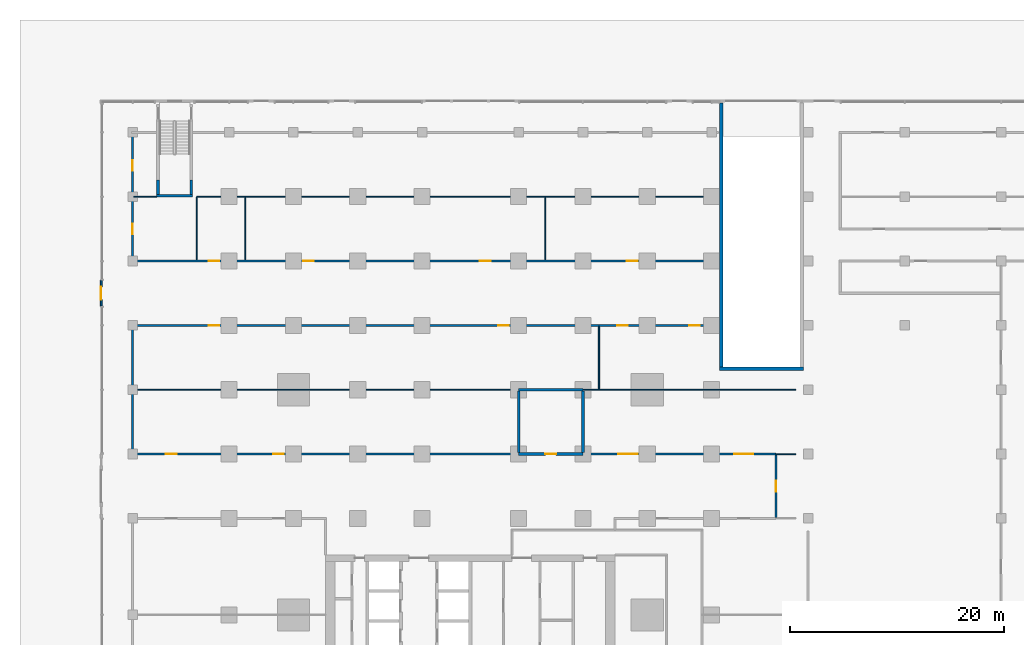
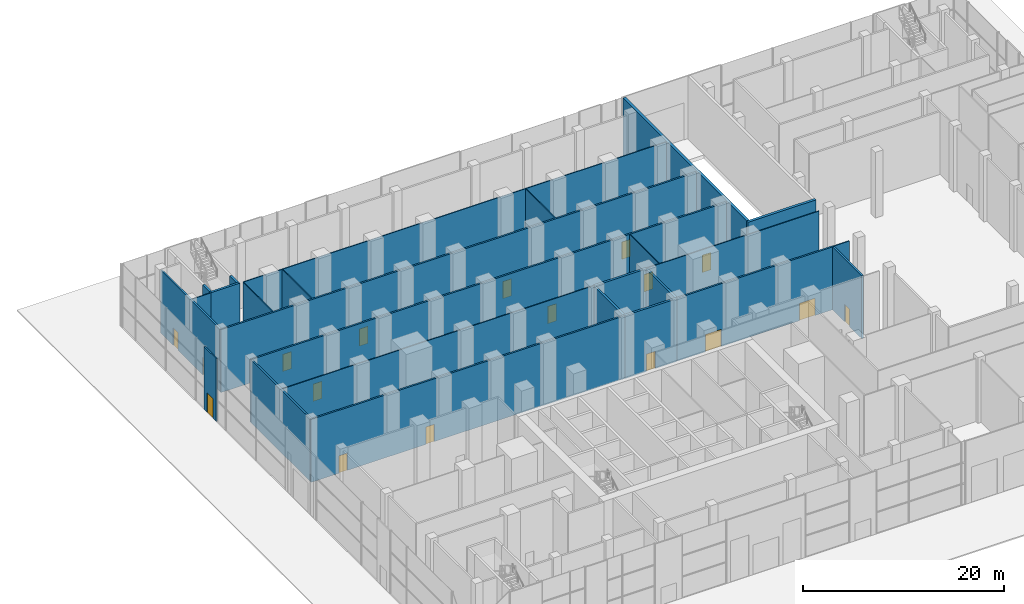
# One storey, part 21 of 29: 26 walls, 17 doors, 17 openings.
"""IFC4 building model written with IfcOpenShell, lengths in metres."""

from ifc_helpers import new_model, si_unit, direction, frame, frame_2d, origin, place, context, subcontext, project, spatial, rectangle, extrude, material, layer, layer_set, type_object, element, fill, save


model = new_model("IFC4")

# Units and contexts
model_context = context("Model", 3, precision=1e-05, world=origin(), true_north=direction((0.0, 1.0)))
body_context = subcontext(model_context, "Body", "Model", "MODEL_VIEW")
ifc_project = project(units=[si_unit("LENGTHUNIT", "METRE"), si_unit("AREAUNIT", "SQUARE_METRE"), si_unit("VOLUMEUNIT", "CUBIC_METRE"), si_unit("PLANEANGLEUNIT", "RADIAN"), si_unit("MASSUNIT", "GRAM", prefix="KILO")], contexts=[model_context])

# Site, building, storey
site_placement = place(None, origin())
site = spatial("IfcSite", under=ifc_project, at=site_placement, CompositionType="ELEMENT")
building_placement = place(site_placement, origin())
building = spatial("IfcBuilding", under=site, at=building_placement, Name="Finial Court Residences", CompositionType="ELEMENT")
storey_placement = place(building_placement, origin())
storey = spatial("IfcBuildingStorey", under=building, at=storey_placement, Name="L00", CompositionType="ELEMENT", Elevation=0.0)

# Wall, openings, doors
ifc_material_1 = material(Name="Gypsum board")
ifc_layer_1 = layer(ifc_material_1, 0.02490234375)
ifc_material_2 = material(Name="Acoustic mineral wool in double frame")
ifc_layer_2 = layer(ifc_material_2, 0.14990234375)
ifc_layer_3 = layer(ifc_material_1, 0.02490234375)
ifc_layer_set_1 = layer_set([ifc_layer_1, ifc_layer_2, ifc_layer_3], Name="Corridor wall 200, 1 hour")
wall_type_1 = type_object("IfcWallType", Name="Corridor wall 200, 1 hour", PredefinedType="PARTITIONING", material=ifc_layer_set_1)
wall_1_placement = place(storey_placement, frame((-31.60009765625, 1.5, 0.0), z_axis=(0.0, 0.0, 1.0), x_axis=(1.0, 0.0, 0.0)))
wall_1 = element("IfcWall", 1, at=wall_1_placement, inside=storey, type_object=wall_type_1, Name="Partition L00-015", PredefinedType="PARTITIONING", context=body_context, shape_type="SweptSolid", body=[
    extrude(rectangle(XDim=36.10009765625, YDim=0.199951171875, at=frame_2d((18.050048828125, 0.0))), origin(), (0.0, 0.0, 1.0), 7.64990234375),
])
opening_1_placement = place(wall_1_placement, frame((3.199951171875, 0.0, 0.0)))
opening_1 = element("IfcOpeningElement", 2, at=opening_1_placement, cuts=wall_1, Name="Opening L00-D015", PredefinedType="OPENING", context=body_context, shape_type="SweptSolid", body=[
    extrude(rectangle(XDim=1.0, YDim=2.10009765625, at=frame_2d((0.5, 1.050048828125))), frame((0.0, 0.10986328125, 0.0), z_axis=(0.0, -1.0, 0.0), x_axis=(1.0, 0.0, 0.0)), (0.0, 0.0, 1.0), 0.219970703125),
])
opening_2_placement = place(wall_1_placement, frame((13.199951171875, 0.0, 0.0)))
opening_2 = element("IfcOpeningElement", 3, at=opening_2_placement, cuts=wall_1, Name="Opening L00-D016", PredefinedType="OPENING", context=body_context, shape_type="SweptSolid", body=[
    extrude(rectangle(XDim=1.0, YDim=2.10009765625, at=frame_2d((0.5, 1.050048828125))), frame((0.0, 0.10986328125, 0.0), z_axis=(0.0, -1.0, 0.0), x_axis=(1.0, 0.0, 0.0)), (0.0, 0.0, 1.0), 0.219970703125),
])
ifc_material_3 = material(Name="Timber door leaf in hollow metal frame", Category="wood")
door_type_1 = type_object("IfcDoorType", Name="Fire door set 1000 x 2100, 30 minutes", OperationType="SINGLE_SWING_LEFT", PredefinedType="DOOR", material=ifc_material_3)
door_1_placement = place(opening_1_placement, origin())
door_1 = element("IfcDoor", 4, at=door_1_placement, inside=storey, type_object=door_type_1, Name="Door L00-D015", OperationType="SINGLE_SWING_RIGHT", OverallHeight=2.10009765625, OverallWidth=1.0, PredefinedType="DOOR", context=body_context, shape_type="SweptSolid", body=[
    extrude(rectangle(XDim=1.0, YDim=2.10009765625, at=frame_2d((0.5, 1.050048828125))), frame((0.0, 0.02490234375, 0.0), z_axis=(0.0, -1.0, 0.0), x_axis=(1.0, 0.0, 0.0)), (0.0, 0.0, 1.0), 0.050048828125),
])
fill(opening_1, door_1)
door_2_placement = place(opening_2_placement, origin())
door_2 = element("IfcDoor", 5, at=door_2_placement, inside=storey, type_object=door_type_1, Name="Door L00-D016", OperationType="SINGLE_SWING_RIGHT", OverallHeight=2.10009765625, OverallWidth=1.0, PredefinedType="DOOR", context=body_context, shape_type="SweptSolid", body=[
    extrude(rectangle(XDim=1.0, YDim=2.10009765625, at=frame_2d((0.5, 1.050048828125))), frame((0.0, 0.02490234375, 0.0), z_axis=(0.0, -1.0, 0.0), x_axis=(1.0, 0.0, 0.0)), (0.0, 0.0, 1.0), 0.050048828125),
])
fill(opening_2, door_2)

wall_2_placement = place(storey_placement, frame((10.5, 1.5, 0.0), z_axis=(0.0, 0.0, 1.0), x_axis=(1.0, 0.0, 0.0)))
wall_2 = element("IfcWall", 6, at=wall_2_placement, inside=storey, type_object=wall_type_1, Name="Partition L00-016", PredefinedType="PARTITIONING", context=body_context, shape_type="SweptSolid", body=[
    extrude(rectangle(XDim=18.0, YDim=0.199951171875, at=frame_2d((9.0, 0.0))), origin(), (0.0, 0.0, 1.0), 7.64990234375),
])
opening_3_placement = place(wall_2_placement, frame((3.300048828125, 0.0, 0.0)))
opening_3 = element("IfcOpeningElement", 7, at=opening_3_placement, cuts=wall_2, Name="Opening L00-D017", PredefinedType="OPENING", context=body_context, shape_type="SweptSolid", body=[
    extrude(rectangle(XDim=1.800048828125, YDim=2.10009765625, at=frame_2d((0.89990234375, 1.050048828125))), frame((0.0, 0.10986328125, 0.0), z_axis=(0.0, -1.0, 0.0), x_axis=(1.0, 0.0, 0.0)), (0.0, 0.0, 1.0), 0.219970703125),
])
opening_4_placement = place(wall_2_placement, frame((14.10009765625, 0.0, 0.0)))
opening_4 = element("IfcOpeningElement", 8, at=opening_4_placement, cuts=wall_2, Name="Opening L00-D018", PredefinedType="OPENING", context=body_context, shape_type="SweptSolid", body=[
    extrude(rectangle(XDim=1.800048828125, YDim=2.10009765625, at=frame_2d((0.89990234375, 1.050048828125))), frame((0.0, 0.10986328125, 0.0), z_axis=(0.0, -1.0, 0.0), x_axis=(1.0, 0.0, 0.0)), (0.0, 0.0, 1.0), 0.219970703125),
])
door_type_2 = type_object("IfcDoorType", Name="Fire door set 1800 x 2100, 30 minutes", OperationType="DOUBLE_DOOR_SINGLE_SWING", PredefinedType="DOOR", material=ifc_material_3)
door_3_placement = place(opening_3_placement, origin())
door_3 = element("IfcDoor", 9, at=door_3_placement, inside=storey, type_object=door_type_2, Name="Door L00-D017", OperationType="DOUBLE_DOOR_SINGLE_SWING", OverallHeight=2.10009765625, OverallWidth=1.800048828125, PredefinedType="DOOR", context=body_context, shape_type="SweptSolid", body=[
    extrude(rectangle(XDim=1.800048828125, YDim=2.10009765625, at=frame_2d((0.89990234375, 1.050048828125))), frame((0.0, 0.02490234375, 0.0), z_axis=(0.0, -1.0, 0.0), x_axis=(1.0, 0.0, 0.0)), (0.0, 0.0, 1.0), 0.050048828125),
])
fill(opening_3, door_3)
door_4_placement = place(opening_4_placement, origin())
door_4 = element("IfcDoor", 10, at=door_4_placement, inside=storey, type_object=door_type_2, Name="Door L00-D018", OperationType="DOUBLE_DOOR_SINGLE_SWING", OverallHeight=2.10009765625, OverallWidth=1.800048828125, PredefinedType="DOOR", context=body_context, shape_type="SweptSolid", body=[
    extrude(rectangle(XDim=1.800048828125, YDim=2.10009765625, at=frame_2d((0.89990234375, 1.050048828125))), frame((0.0, 0.02490234375, 0.0), z_axis=(0.0, -1.0, 0.0), x_axis=(1.0, 0.0, 0.0)), (0.0, 0.0, 1.0), 0.050048828125),
])
fill(opening_4, door_4)

wall_3_placement = place(storey_placement, frame((-31.60009765625, 13.5, 0.0), z_axis=(0.0, 0.0, 1.0), x_axis=(1.0, 0.0, 0.0)))
wall_3 = element("IfcWall", 11, at=wall_3_placement, inside=storey, type_object=wall_type_1, Name="Partition L00-022", PredefinedType="PARTITIONING", context=body_context, shape_type="SweptSolid", body=[
    extrude(rectangle(XDim=54.75, YDim=0.199951171875, at=frame_2d((27.375, 0.0))), origin(), (0.0, 0.0, 1.0), 7.64990234375),
])
opening_5_placement = place(wall_3_placement, frame((7.199951171875, 0.0, 0.0)))
opening_5 = element("IfcOpeningElement", 12, at=opening_5_placement, cuts=wall_3, Name="Opening L00-D020", PredefinedType="OPENING", context=body_context, shape_type="SweptSolid", body=[
    extrude(rectangle(XDim=1.0, YDim=2.10009765625, at=frame_2d((0.5, 1.050048828125))), frame((0.0, 0.10986328125, 0.0), z_axis=(0.0, -1.0, 0.0), x_axis=(1.0, 0.0, 0.0)), (0.0, 0.0, 1.0), 0.219970703125),
])
opening_6_placement = place(wall_3_placement, frame((34.199951171875, 0.0, 0.0)))
opening_6 = element("IfcOpeningElement", 13, at=opening_6_placement, cuts=wall_3, Name="Opening L00-D021", PredefinedType="OPENING", context=body_context, shape_type="SweptSolid", body=[
    extrude(rectangle(XDim=1.0, YDim=2.10009765625, at=frame_2d((0.5, 1.050048828125))), frame((0.0, 0.10986328125, 0.0), z_axis=(0.0, -1.0, 0.0), x_axis=(1.0, 0.0, 0.0)), (0.0, 0.0, 1.0), 0.219970703125),
])
opening_7_placement = place(wall_3_placement, frame((45.300048828125, 0.0, 0.0)))
opening_7 = element("IfcOpeningElement", 14, at=opening_7_placement, cuts=wall_3, Name="Opening L00-D022", PredefinedType="OPENING", context=body_context, shape_type="SweptSolid", body=[
    extrude(rectangle(XDim=1.0, YDim=2.10009765625, at=frame_2d((0.5, 1.050048828125))), frame((0.0, 0.10986328125, 0.0), z_axis=(0.0, -1.0, 0.0), x_axis=(1.0, 0.0, 0.0)), (0.0, 0.0, 1.0), 0.219970703125),
])
opening_8_placement = place(wall_3_placement, frame((52.0, 0.0, 0.0)))
opening_8 = element("IfcOpeningElement", 15, at=opening_8_placement, cuts=wall_3, Name="Opening L00-D023", PredefinedType="OPENING", context=body_context, shape_type="SweptSolid", body=[
    extrude(rectangle(XDim=1.0, YDim=2.10009765625, at=frame_2d((0.5, 1.050048828125))), frame((0.0, 0.10986328125, 0.0), z_axis=(0.0, -1.0, 0.0), x_axis=(1.0, 0.0, 0.0)), (0.0, 0.0, 1.0), 0.219970703125),
])
door_5_placement = place(opening_5_placement, origin())
door_5 = element("IfcDoor", 16, at=door_5_placement, inside=storey, type_object=door_type_1, Name="Door L00-D020", OperationType="SINGLE_SWING_LEFT", OverallHeight=2.10009765625, OverallWidth=1.0, PredefinedType="DOOR", context=body_context, shape_type="SweptSolid", body=[
    extrude(rectangle(XDim=1.0, YDim=2.10009765625, at=frame_2d((0.5, 1.050048828125))), frame((0.0, 0.02490234375, 0.0), z_axis=(0.0, -1.0, 0.0), x_axis=(1.0, 0.0, 0.0)), (0.0, 0.0, 1.0), 0.050048828125),
])
fill(opening_5, door_5)
door_6_placement = place(opening_6_placement, origin())
door_6 = element("IfcDoor", 17, at=door_6_placement, inside=storey, type_object=door_type_1, Name="Door L00-D021", OperationType="SINGLE_SWING_RIGHT", OverallHeight=2.10009765625, OverallWidth=1.0, PredefinedType="DOOR", context=body_context, shape_type="SweptSolid", body=[
    extrude(rectangle(XDim=1.0, YDim=2.10009765625, at=frame_2d((0.5, 1.050048828125))), frame((0.0, 0.02490234375, 0.0), z_axis=(0.0, -1.0, 0.0), x_axis=(1.0, 0.0, 0.0)), (0.0, 0.0, 1.0), 0.050048828125),
])
fill(opening_6, door_6)
door_7_placement = place(opening_7_placement, origin())
door_7 = element("IfcDoor", 18, at=door_7_placement, inside=storey, type_object=door_type_1, Name="Door L00-D022", OperationType="SINGLE_SWING_RIGHT", OverallHeight=2.10009765625, OverallWidth=1.0, PredefinedType="DOOR", context=body_context, shape_type="SweptSolid", body=[
    extrude(rectangle(XDim=1.0, YDim=2.10009765625, at=frame_2d((0.5, 1.050048828125))), frame((0.0, 0.02490234375, 0.0), z_axis=(0.0, -1.0, 0.0), x_axis=(1.0, 0.0, 0.0)), (0.0, 0.0, 1.0), 0.050048828125),
])
fill(opening_7, door_7)
door_8_placement = place(opening_8_placement, origin())
door_8 = element("IfcDoor", 19, at=door_8_placement, inside=storey, type_object=door_type_1, Name="Door L00-D023", OperationType="SINGLE_SWING_RIGHT", OverallHeight=2.10009765625, OverallWidth=1.0, PredefinedType="DOOR", context=body_context, shape_type="SweptSolid", body=[
    extrude(rectangle(XDim=1.0, YDim=2.10009765625, at=frame_2d((0.5, 1.050048828125))), frame((0.0, 0.02490234375, 0.0), z_axis=(0.0, -1.0, 0.0), x_axis=(1.0, 0.0, 0.0)), (0.0, 0.0, 1.0), 0.050048828125),
])
fill(opening_8, door_8)

wall_4_placement = place(storey_placement, frame((-31.60009765625, 19.5, 0.0), z_axis=(0.0, 0.0, 1.0), x_axis=(1.0, 0.0, 0.0)))
wall_4 = element("IfcWall", 20, at=wall_4_placement, inside=storey, type_object=wall_type_1, Name="Partition L00-024", PredefinedType="PARTITIONING", context=body_context, shape_type="SweptSolid", body=[
    extrude(rectangle(XDim=54.75, YDim=0.199951171875, at=frame_2d((27.375, 0.0))), origin(), (0.0, 0.0, 1.0), 7.64990234375),
])
opening_9_placement = place(wall_4_placement, frame((7.199951171875, 0.0, 0.0)))
opening_9 = element("IfcOpeningElement", 21, at=opening_9_placement, cuts=wall_4, Name="Opening L00-D024", PredefinedType="OPENING", context=body_context, shape_type="SweptSolid", body=[
    extrude(rectangle(XDim=1.0, YDim=2.10009765625, at=frame_2d((0.5, 1.050048828125))), frame((0.0, 0.10986328125, 0.0), z_axis=(0.0, -1.0, 0.0), x_axis=(1.0, 0.0, 0.0)), (0.0, 0.0, 1.0), 0.219970703125),
])
opening_10_placement = place(wall_4_placement, frame((16.0, 0.0, 0.0)))
opening_10 = element("IfcOpeningElement", 22, at=opening_10_placement, cuts=wall_4, Name="Opening L00-D025", PredefinedType="OPENING", context=body_context, shape_type="SweptSolid", body=[
    extrude(rectangle(XDim=1.0, YDim=2.10009765625, at=frame_2d((0.5, 1.050048828125))), frame((0.0, 0.10986328125, 0.0), z_axis=(0.0, -1.0, 0.0), x_axis=(1.0, 0.0, 0.0)), (0.0, 0.0, 1.0), 0.219970703125),
])
opening_11_placement = place(wall_4_placement, frame((32.5, 0.0, 0.0)))
opening_11 = element("IfcOpeningElement", 23, at=opening_11_placement, cuts=wall_4, Name="Opening L00-D026", PredefinedType="OPENING", context=body_context, shape_type="SweptSolid", body=[
    extrude(rectangle(XDim=1.0, YDim=2.10009765625, at=frame_2d((0.5, 1.050048828125))), frame((0.0, 0.10986328125, 0.0), z_axis=(0.0, -1.0, 0.0), x_axis=(1.0, 0.0, 0.0)), (0.0, 0.0, 1.0), 0.219970703125),
])
opening_12_placement = place(wall_4_placement, frame((46.199951171875, 0.0, 0.0)))
opening_12 = element("IfcOpeningElement", 24, at=opening_12_placement, cuts=wall_4, Name="Opening L00-D027", PredefinedType="OPENING", context=body_context, shape_type="SweptSolid", body=[
    extrude(rectangle(XDim=1.0, YDim=2.10009765625, at=frame_2d((0.5, 1.050048828125))), frame((0.0, 0.10986328125, 0.0), z_axis=(0.0, -1.0, 0.0), x_axis=(1.0, 0.0, 0.0)), (0.0, 0.0, 1.0), 0.219970703125),
])
door_9_placement = place(opening_9_placement, origin())
door_9 = element("IfcDoor", 25, at=door_9_placement, inside=storey, type_object=door_type_1, Name="Door L00-D024", OperationType="SINGLE_SWING_RIGHT", OverallHeight=2.10009765625, OverallWidth=1.0, PredefinedType="DOOR", context=body_context, shape_type="SweptSolid", body=[
    extrude(rectangle(XDim=1.0, YDim=2.10009765625, at=frame_2d((0.5, 1.050048828125))), frame((0.0, 0.02490234375, 0.0), z_axis=(0.0, -1.0, 0.0), x_axis=(1.0, 0.0, 0.0)), (0.0, 0.0, 1.0), 0.050048828125),
])
fill(opening_9, door_9)
door_10_placement = place(opening_10_placement, origin())
door_10 = element("IfcDoor", 26, at=door_10_placement, inside=storey, type_object=door_type_1, Name="Door L00-D025", OperationType="SINGLE_SWING_RIGHT", OverallHeight=2.10009765625, OverallWidth=1.0, PredefinedType="DOOR", context=body_context, shape_type="SweptSolid", body=[
    extrude(rectangle(XDim=1.0, YDim=2.10009765625, at=frame_2d((0.5, 1.050048828125))), frame((0.0, 0.02490234375, 0.0), z_axis=(0.0, -1.0, 0.0), x_axis=(1.0, 0.0, 0.0)), (0.0, 0.0, 1.0), 0.050048828125),
])
fill(opening_10, door_10)
door_11_placement = place(opening_11_placement, origin())
door_11 = element("IfcDoor", 27, at=door_11_placement, inside=storey, type_object=door_type_1, Name="Door L00-D026", OperationType="SINGLE_SWING_LEFT", OverallHeight=2.10009765625, OverallWidth=1.0, PredefinedType="DOOR", context=body_context, shape_type="SweptSolid", body=[
    extrude(rectangle(XDim=1.0, YDim=2.10009765625, at=frame_2d((0.5, 1.050048828125))), frame((0.0, 0.02490234375, 0.0), z_axis=(0.0, -1.0, 0.0), x_axis=(1.0, 0.0, 0.0)), (0.0, 0.0, 1.0), 0.050048828125),
])
fill(opening_11, door_11)
door_12_placement = place(opening_12_placement, origin())
door_12 = element("IfcDoor", 28, at=door_12_placement, inside=storey, type_object=door_type_1, Name="Door L00-D027", OperationType="SINGLE_SWING_LEFT", OverallHeight=2.10009765625, OverallWidth=1.0, PredefinedType="DOOR", context=body_context, shape_type="SweptSolid", body=[
    extrude(rectangle(XDim=1.0, YDim=2.10009765625, at=frame_2d((0.5, 1.050048828125))), frame((0.0, 0.02490234375, 0.0), z_axis=(0.0, -1.0, 0.0), x_axis=(1.0, 0.0, 0.0)), (0.0, 0.0, 1.0), 0.050048828125),
])
fill(opening_12, door_12)

# Wall
wall_5_placement = place(storey_placement, frame((-31.5, 1.60009765625, 0.0), z_axis=(0.0, 0.0, 1.0), x_axis=(0.0, 1.0, 0.0)))
element("IfcWall", 29, at=wall_5_placement, inside=storey, type_object=wall_type_1, Name="Partition L00-036", PredefinedType="PARTITIONING", context=body_context, shape_type="SweptSolid", body=[
    extrude(rectangle(XDim=11.7998046875, YDim=0.199951171875, at=frame_2d((5.89990234375, 0.0))), origin(), (0.0, 0.0, 1.0), 7.64990234375),
])

# Wall, openings, doors
wall_6_placement = place(storey_placement, frame((-31.5, 19.60009765625, 0.0), z_axis=(0.0, 0.0, 1.0), x_axis=(0.0, 1.0, 0.0)))
wall_6 = element("IfcWall", 30, at=wall_6_placement, inside=storey, type_object=wall_type_1, Name="Partition L00-037", PredefinedType="PARTITIONING", context=body_context, shape_type="SweptSolid", body=[
    extrude(rectangle(XDim=11.7998046875, YDim=0.199951171875, at=frame_2d((5.89990234375, 0.0))), origin(), (0.0, 0.0, 1.0), 7.64990234375),
])
opening_13_placement = place(wall_6_placement, frame((2.39990234375, 0.0, 0.0)))
opening_13 = element("IfcOpeningElement", 31, at=opening_13_placement, cuts=wall_6, Name="Opening L00-D035", PredefinedType="OPENING", context=body_context, shape_type="SweptSolid", body=[
    extrude(rectangle(XDim=1.0, YDim=2.10009765625, at=frame_2d((0.5, 1.050048828125))), frame((0.0, 0.10986328125, 0.0), z_axis=(0.0, -1.0, 0.0), x_axis=(1.0, 0.0, 0.0)), (0.0, 0.0, 1.0), 0.219970703125),
])
opening_14_placement = place(wall_6_placement, frame((8.300048828125, 0.0, 0.0)))
opening_14 = element("IfcOpeningElement", 32, at=opening_14_placement, cuts=wall_6, Name="Opening L00-D036", PredefinedType="OPENING", context=body_context, shape_type="SweptSolid", body=[
    extrude(rectangle(XDim=1.0, YDim=2.10009765625, at=frame_2d((0.5, 1.050048828125))), frame((0.0, 0.10986328125, 0.0), z_axis=(0.0, -1.0, 0.0), x_axis=(1.0, 0.0, 0.0)), (0.0, 0.0, 1.0), 0.219970703125),
])
door_13_placement = place(opening_13_placement, origin())
door_13 = element("IfcDoor", 33, at=door_13_placement, inside=storey, type_object=door_type_1, Name="Door L00-D035", OperationType="SINGLE_SWING_LEFT", OverallHeight=2.10009765625, OverallWidth=1.0, PredefinedType="DOOR", context=body_context, shape_type="SweptSolid", body=[
    extrude(rectangle(XDim=1.0, YDim=2.10009765625, at=frame_2d((0.5, 1.050048828125))), frame((0.0, 0.02490234375, 0.0), z_axis=(0.0, -1.0, 0.0), x_axis=(1.0, 0.0, 0.0)), (0.0, 0.0, 1.0), 0.050048828125),
])
fill(opening_13, door_13)
door_14_placement = place(opening_14_placement, origin())
door_14 = element("IfcDoor", 34, at=door_14_placement, inside=storey, type_object=door_type_1, Name="Door L00-D036", OperationType="SINGLE_SWING_RIGHT", OverallHeight=2.10009765625, OverallWidth=1.0, PredefinedType="DOOR", context=body_context, shape_type="SweptSolid", body=[
    extrude(rectangle(XDim=1.0, YDim=2.10009765625, at=frame_2d((0.5, 1.050048828125))), frame((0.0, 0.02490234375, 0.0), z_axis=(0.0, -1.0, 0.0), x_axis=(1.0, 0.0, 0.0)), (0.0, 0.0, 1.0), 0.050048828125),
])
fill(opening_14, door_14)

# Wall, opening, door
wall_7_placement = place(storey_placement, frame((28.5, -4.39990234375, 0.0), z_axis=(0.0, 0.0, 1.0), x_axis=(0.0, 1.0, 0.0)))
wall_7 = element("IfcWall", 35, at=wall_7_placement, inside=storey, type_object=wall_type_1, Name="Partition L00-047", PredefinedType="PARTITIONING", context=body_context, shape_type="SweptSolid", body=[
    extrude(rectangle(XDim=5.7998046875, YDim=0.199951171875, at=frame_2d((2.89990234375, 0.0))), origin(), (0.0, 0.0, 1.0), 7.64990234375),
])
opening_15_placement = place(wall_7_placement, frame((2.39990234375, 0.0, 0.0)))
opening_15 = element("IfcOpeningElement", 36, at=opening_15_placement, cuts=wall_7, Name="Opening L00-D037", PredefinedType="OPENING", context=body_context, shape_type="SweptSolid", body=[
    extrude(rectangle(XDim=1.0, YDim=2.10009765625, at=frame_2d((0.5, 1.050048828125))), frame((0.0, 0.10986328125, 0.0), z_axis=(0.0, -1.0, 0.0), x_axis=(1.0, 0.0, 0.0)), (0.0, 0.0, 1.0), 0.219970703125),
])
door_15_placement = place(opening_15_placement, origin())
door_15 = element("IfcDoor", 37, at=door_15_placement, inside=storey, type_object=door_type_1, Name="Door L00-D037", OperationType="SINGLE_SWING_RIGHT", OverallHeight=2.10009765625, OverallWidth=1.0, PredefinedType="DOOR", context=body_context, shape_type="SweptSolid", body=[
    extrude(rectangle(XDim=1.0, YDim=2.10009765625, at=frame_2d((0.5, 1.050048828125))), frame((0.0, 0.02490234375, 0.0), z_axis=(0.0, -1.0, 0.0), x_axis=(1.0, 0.0, 0.0)), (0.0, 0.0, 1.0), 0.050048828125),
])
fill(opening_15, door_15)

ifc_material_4 = material(Name="Natural limestone", Category="masonry")
ifc_layer_4 = layer(ifc_material_4, 0.14990234375)
ifc_layer_set_2 = layer_set([ifc_layer_4], Name="Entrance portal wall, limestone 150")
wall_type_2 = type_object("IfcWallType", Name="Entrance portal wall, limestone 150", PredefinedType="SOLIDWALL", material=ifc_layer_set_2)
wall_8_placement = place(storey_placement, frame((-34.425048828125, 15.300048828125, 0.0), z_axis=(0.0, 0.0, 1.0), x_axis=(0.0, 1.0, 0.0)))
wall_8 = element("IfcWall", 38, at=wall_8_placement, inside=storey, type_object=wall_type_2, Name="E-L00-ENT14", PredefinedType="SOLIDWALL", context=body_context, shape_type="SweptSolid", body=[
    extrude(rectangle(XDim=2.39990234375, YDim=0.14990234375, at=frame_2d((1.199951171875, 0.0))), origin(), (0.0, 0.0, 1.0), 7.64990234375),
])
opening_16_placement = place(wall_8_placement, frame((0.60009765625, 0.0, 0.0)))
opening_16 = element("IfcOpeningElement", 39, at=opening_16_placement, cuts=wall_8, Name="Opening DE00-14", PredefinedType="OPENING", context=body_context, shape_type="SweptSolid", body=[
    extrude(rectangle(XDim=1.199951171875, YDim=2.39990234375, at=frame_2d((0.60009765625, 1.199951171875))), frame((0.0, 0.0849609375, 0.0), z_axis=(0.0, -1.0, 0.0), x_axis=(1.0, 0.0, 0.0)), (0.0, 0.0, 1.0), 0.169921875),
])
ifc_material_5 = material(Name="Bronze anodised aluminium", Category="aluminium")
door_type_3 = type_object("IfcDoorType", Name="Shopfront entrance door 1200 x 2400", OperationType="SINGLE_SWING_LEFT", PredefinedType="DOOR", material=ifc_material_5)
door_16_placement = place(opening_16_placement, origin())
door_16 = element("IfcDoor", 40, at=door_16_placement, inside=storey, type_object=door_type_3, Name="E-L00-ENT14-D", OperationType="SINGLE_SWING_LEFT", OverallHeight=2.39990234375, OverallWidth=1.199951171875, PredefinedType="DOOR", context=body_context, shape_type="SweptSolid", body=[
    extrude(rectangle(XDim=1.199951171875, YDim=2.39990234375, at=frame_2d((0.60009765625, 1.199951171875))), frame((0.0, 0.02490234375, 0.0), z_axis=(0.0, -1.0, 0.0), x_axis=(1.0, 0.0, 0.0)), (0.0, 0.0, 1.0), 0.050048828125),
])
fill(opening_16, door_16)

# Walls
ifc_layer_5 = layer(ifc_material_1, 0.012451171875)
ifc_material_6 = material(Name="Mineral wool in light-gauge frame")
ifc_layer_6 = layer(ifc_material_6, 0.074951171875)
ifc_layer_7 = layer(ifc_material_1, 0.012451171875)
ifc_layer_set_3 = layer_set([ifc_layer_5, ifc_layer_6, ifc_layer_7], Name="Gypsum board partition 100")
wall_type_3 = type_object("IfcWallType", Name="Gypsum board partition 100", PredefinedType="PARTITIONING", material=ifc_layer_set_3)
wall_9_placement = place(storey_placement, frame((28.5, 1.5, 0.0), z_axis=(0.0, 0.0, 1.0), x_axis=(1.0, 0.0, 0.0)))
element("IfcWall", 41, at=wall_9_placement, inside=storey, type_object=wall_type_3, Name="Partition L00-017", PredefinedType="PARTITIONING", context=body_context, shape_type="SweptSolid", body=[
    extrude(rectangle(XDim=1.85009765625, YDim=0.10009765625, at=frame_2d((0.925048828125, 0.0))), origin(), (0.0, 0.0, 1.0), 7.64990234375),
])
wall_10_placement = place(storey_placement, frame((-31.39990234375, 7.5, 0.0), z_axis=(0.0, 0.0, 1.0), x_axis=(1.0, 0.0, 0.0)))
element("IfcWall", 42, at=wall_10_placement, inside=storey, type_object=wall_type_3, Name="Partition L00-019", PredefinedType="PARTITIONING", context=body_context, shape_type="SweptSolid", body=[
    extrude(rectangle(XDim=35.89990234375, YDim=0.10009765625, at=frame_2d((17.949951171875, 0.0))), origin(), (0.0, 0.0, 1.0), 7.64990234375),
])
wall_11_placement = place(storey_placement, frame((10.5, 7.5, 0.0), z_axis=(0.0, 0.0, 1.0), x_axis=(1.0, 0.0, 0.0)))
element("IfcWall", 43, at=wall_11_placement, inside=storey, type_object=wall_type_3, Name="Partition L00-020", PredefinedType="PARTITIONING", context=body_context, shape_type="SweptSolid", body=[
    extrude(rectangle(XDim=19.85009765625, YDim=0.10009765625, at=frame_2d((9.925048828125, 0.0))), origin(), (0.0, 0.0, 1.0), 7.64990234375),
])
wall_12_placement = place(storey_placement, frame((-31.39990234375, 25.5, 0.0), z_axis=(0.0, 0.0, 1.0), x_axis=(1.0, 0.0, 0.0)))
element("IfcWall", 44, at=wall_12_placement, inside=storey, type_object=wall_type_3, Name="Partition L00-027", PredefinedType="PARTITIONING", context=body_context, shape_type="SweptSolid", body=[
    extrude(rectangle(XDim=2.14990234375, YDim=0.10009765625, at=frame_2d((1.074951171875, 0.0))), origin(), (0.0, 0.0, 1.0), 7.64990234375),
])
wall_13_placement = place(storey_placement, frame((-25.5, 25.5, 0.0), z_axis=(0.0, 0.0, 1.0), x_axis=(1.0, 0.0, 0.0)))
element("IfcWall", 45, at=wall_13_placement, inside=storey, type_object=wall_type_3, Name="Partition L00-028", PredefinedType="PARTITIONING", context=body_context, shape_type="SweptSolid", body=[
    extrude(rectangle(XDim=48.64990234375, YDim=0.10009765625, at=frame_2d((24.324951171875, 0.0))), origin(), (0.0, 0.0, 1.0), 7.64990234375),
])
for number, where, z_axis, x_axis, name in (
    (46, (-25.5, 19.60009765625, 0.0), (0.0, 0.0, 1.0), (0.0, 1.0, 0.0), "Partition L00-038"),
    (47, (-21.0, 19.60009765625, 0.0), (0.0, 0.0, 1.0), (0.0, 1.0, 0.0), "Partition L00-039"),
    (48, (7.0, 19.60009765625, 0.0), (0.0, 0.0, 1.0), (0.0, 1.0, 0.0), "Partition L00-043"),
    (49, (12.0, 7.550048828125, 0.0), (0.0, 0.0, 1.0), (0.0, 1.0, 0.0), "Partition L00-045"),
):
    element("IfcWall", number, at=place(storey_placement, frame(where, z_axis=z_axis, x_axis=x_axis)), inside=storey, type_object=wall_type_3, Name=name, PredefinedType="PARTITIONING", context=body_context, shape_type="SweptSolid", body=[
        extrude(rectangle(XDim=5.849853515625, YDim=0.10009765625, at=frame_2d((2.9248046875, 0.0))), origin(), (0.0, 0.0, 1.0), 7.64990234375),
    ])

# Wall, opening, door
ifc_material_7 = material(Name="Fire-rated board")
ifc_layer_8 = layer(ifc_material_7, 0.050048828125)
ifc_material_8 = material(Name="Mineral wool in double frame")
ifc_layer_9 = layer(ifc_material_8, 0.14990234375)
ifc_layer_10 = layer(ifc_material_7, 0.050048828125)
ifc_layer_set_4 = layer_set([ifc_layer_8, ifc_layer_9, ifc_layer_10], Name="Plant room wall 250, 2 hour")
wall_type_4 = type_object("IfcWallType", Name="Plant room wall 250, 2 hour", PredefinedType="PARTITIONING", material=ifc_layer_set_4)
wall_14_placement = place(storey_placement, frame((4.5, 1.5, 0.0), z_axis=(0.0, 0.0, 1.0), x_axis=(1.0, 0.0, 0.0)))
wall_14 = element("IfcWall", 50, at=wall_14_placement, inside=storey, type_object=wall_type_4, Name="Partition L00-018", PredefinedType="PARTITIONING", context=body_context, shape_type="SweptSolid", body=[
    extrude(rectangle(XDim=6.0, YDim=0.25, at=frame_2d((3.0, 0.0))), origin(), (0.0, 0.0, 1.0), 7.64990234375),
])
opening_17_placement = place(wall_14_placement, frame((2.5, 0.0, 0.0)))
opening_17 = element("IfcOpeningElement", 51, at=opening_17_placement, cuts=wall_14, Name="Opening L00-D019", PredefinedType="OPENING", context=body_context, shape_type="SweptSolid", body=[
    extrude(rectangle(XDim=1.0, YDim=2.10009765625, at=frame_2d((0.5, 1.050048828125))), frame((0.0, 0.135009765625, 0.0), z_axis=(0.0, -1.0, 0.0), x_axis=(1.0, 0.0, 0.0)), (0.0, 0.0, 1.0), 0.27001953125),
])
door_type_4 = type_object("IfcDoorType", Name="Fire door set 1000 x 2100, 60 minutes", OperationType="SINGLE_SWING_LEFT", PredefinedType="DOOR", material=ifc_material_3)
door_17_placement = place(opening_17_placement, origin())
door_17 = element("IfcDoor", 52, at=door_17_placement, inside=storey, type_object=door_type_4, Name="Door L00-D019", OperationType="SINGLE_SWING_LEFT", OverallHeight=2.10009765625, OverallWidth=1.0, PredefinedType="DOOR", context=body_context, shape_type="SweptSolid", body=[
    extrude(rectangle(XDim=1.0, YDim=2.10009765625, at=frame_2d((0.5, 1.050048828125))), frame((0.0, 0.02490234375, 0.0), z_axis=(0.0, -1.0, 0.0), x_axis=(1.0, 0.0, 0.0)), (0.0, 0.0, 1.0), 0.050048828125),
])
fill(opening_17, door_17)

# Walls
wall_15_placement = place(storey_placement, frame((4.5, 7.5, 0.0), z_axis=(0.0, 0.0, 1.0), x_axis=(1.0, 0.0, 0.0)))
element("IfcWall", 53, at=wall_15_placement, inside=storey, type_object=wall_type_4, Name="Partition L00-021", PredefinedType="PARTITIONING", context=body_context, shape_type="SweptSolid", body=[
    extrude(rectangle(XDim=6.0, YDim=0.25, at=frame_2d((3.0, 0.0))), origin(), (0.0, 0.0, 1.0), 7.64990234375),
])
for number, where, z_axis, x_axis, name in (
    (54, (4.5, 1.625, 0.0), (0.0, 0.0, 1.0), (0.0, 1.0, 0.0), "Partition L00-042"),
    (55, (10.5, 1.625, 0.0), (0.0, 0.0, 1.0), (0.0, 1.0, 0.0), "Partition L00-044"),
):
    element("IfcWall", number, at=place(storey_placement, frame(where, z_axis=z_axis, x_axis=x_axis)), inside=storey, type_object=wall_type_4, Name=name, PredefinedType="PARTITIONING", context=body_context, shape_type="SweptSolid", body=[
        extrude(rectangle(XDim=5.75, YDim=0.25, at=frame_2d((2.875, 0.0))), origin(), (0.0, 0.0, 1.0), 7.64990234375),
    ])
ifc_material_9 = material(Name="Concrete C32/40", Category="concrete")
ifc_layer_11 = layer(ifc_material_9, 0.300048828125)
ifc_layer_set_5 = layer_set([ifc_layer_11], Name="Ramp hall wall 300 Concrete C32/40")
wall_type_5 = type_object("IfcWallType", Name="Ramp hall wall 300 Concrete C32/40", PredefinedType="SOLIDWALL", material=ifc_layer_set_5)
wall_16_placement = place(storey_placement, frame((23.25, 9.449951171875, 0.0), z_axis=(0.0, 0.0, 1.0), x_axis=(1.0, 0.0, 0.0)))
element("IfcWall", 56, at=wall_16_placement, inside=storey, type_object=wall_type_5, Name="Ramp hall wall L00-V018", PredefinedType="SOLIDWALL", context=body_context, shape_type="SweptSolid", body=[
    extrude(rectangle(XDim=7.800048828125, YDim=0.300048828125, at=frame_2d((3.89990234375, 0.0))), origin(), (0.0, 0.0, 1.0), 7.64990234375),
])
wall_17_placement = place(storey_placement, frame((23.39990234375, 9.60009765625, 0.0), z_axis=(0.0, 0.0, 1.0), x_axis=(0.0, 1.0, 0.0)))
element("IfcWall", 57, at=wall_17_placement, inside=storey, type_object=wall_type_5, Name="Ramp hall wall L00-V030", PredefinedType="SOLIDWALL", context=body_context, shape_type="SweptSolid", body=[
    extrude(rectangle(XDim=24.64990234375, YDim=0.300048828125, at=frame_2d((12.324951171875, 0.0))), origin(), (0.0, 0.0, 1.0), 7.64990234375),
])
ifc_material_10 = material(Name="Concrete C50/60", Category="concrete")
ifc_layer_12 = layer(ifc_material_10, 0.25)
ifc_layer_set_6 = layer_set([ifc_layer_12], Name="Stair enclosure wall 250 Concrete C50/60")
wall_type_6 = type_object("IfcWallType", Name="Stair enclosure wall 250 Concrete C50/60", PredefinedType="SHEAR", material=ifc_layer_set_6)
for number, where, z_axis, x_axis, name in (
    (58, (-29.125, 25.719970703125, 0.0), (0.0, 0.0, 1.0), (0.0, 1.0, 0.0), "Exit Stair 6 enclosure wall L00-W3"),
    (59, (-26.02490234375, 25.719970703125, 0.0), (0.0, 0.0, 1.0), (0.0, 1.0, 0.0), "Exit Stair 6 enclosure wall L00-E3"),
):
    element("IfcWall", number, at=place(storey_placement, frame(where, z_axis=z_axis, x_axis=x_axis)), inside=storey, type_object=wall_type_6, Name=name, PredefinedType="SHEAR", context=body_context, shape_type="SweptSolid", body=[
        extrude(rectangle(XDim=1.35009765625, YDim=0.25, at=frame_2d((0.675048828125, 0.0))), origin(), (0.0, 0.0, 1.0), 7.64990234375),
    ])
wall_18_placement = place(storey_placement, frame((-29.25, 25.594970703125, 0.0), z_axis=(0.0, 0.0, 1.0), x_axis=(1.0, 0.0, 0.0)))
element("IfcWall", 60, at=wall_18_placement, inside=storey, type_object=wall_type_6, Name="Exit Stair 6 enclosure wall L00-N", PredefinedType="SHEAR", context=body_context, shape_type="SweptSolid", body=[
    extrude(rectangle(XDim=3.35009765625, YDim=0.25, at=frame_2d((1.675048828125, 0.0))), origin(), (0.0, 0.0, 1.0), 7.64990234375),
])

save(model, "model.ifc")
